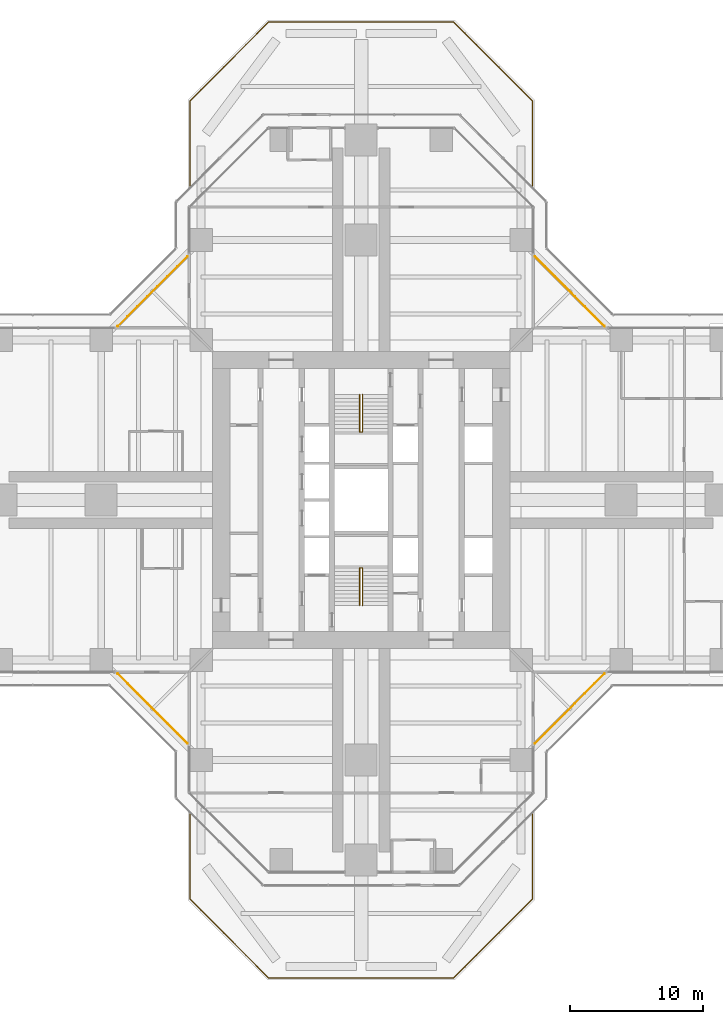
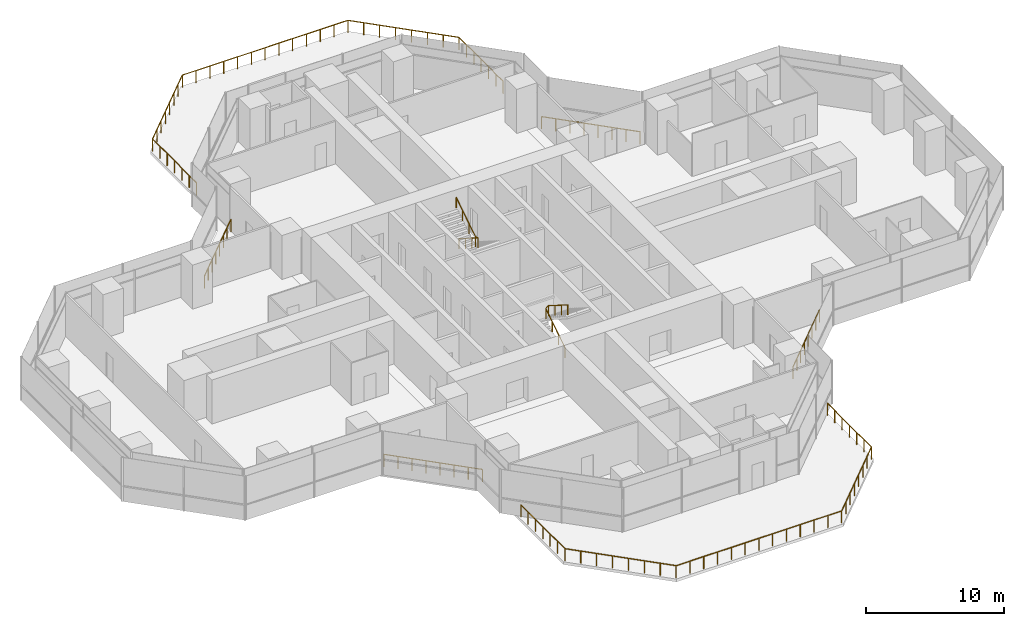
# One storey, part 21 of 21: 8 railings.
"""IFC4 building model written with IfcOpenShell, lengths in metres."""

from ifc_helpers import new_model, si_unit, direction, frame, origin, origin_2d, place, context, subcontext, project, spatial, circle, extrude, material, type_object, element, save


model = new_model("IFC4")

# Units and contexts
model_context = context("Model", 3, precision=1e-05, world=origin(), true_north=direction((0.0, 1.0)))
body_context = subcontext(model_context, "Body", "Model", "MODEL_VIEW")
ifc_project = project(units=[si_unit("LENGTHUNIT", "METRE"), si_unit("AREAUNIT", "SQUARE_METRE"), si_unit("VOLUMEUNIT", "CUBIC_METRE"), si_unit("PLANEANGLEUNIT", "RADIAN"), si_unit("MASSUNIT", "GRAM", prefix="KILO")], contexts=[model_context])

# Site, building, storey
site_placement = place(None, origin())
site = spatial("IfcSite", under=ifc_project, at=site_placement, CompositionType="ELEMENT")
building_placement = place(site_placement, origin())
building = spatial("IfcBuilding", under=site, at=building_placement, Name="Mizan Broadcast Tower", CompositionType="ELEMENT")
storey_placement = place(building_placement, frame((0.0, 0.0, 124.199951171875)))
storey = spatial("IfcBuildingStorey", under=building, at=storey_placement, Name="L27", CompositionType="ELEMENT", Elevation=124.199951171875)

# Railings
ifc_material_1 = material(Name="Stainless steel and glass guard", Category="steel")
railing_type_1 = type_object("IfcRailingType", Name="GUARD 1100", PredefinedType="GUARDRAIL", material=ifc_material_1)
railing_1_placement = place(storey_placement, frame((18.2578125, 13.030029296875, 0.0)))
element("IfcRailing", 1, at=railing_1_placement, inside=storey, type_object=railing_type_1, Name="Winter garden guard L27 E", PredefinedType="GUARDRAIL", context=body_context, shape_type="SweptSolid", body=[
    extrude(circle(Radius=0.02392578125, at=origin_2d()), frame((0.0, 0.0, 1.076171875), z_axis=(-0.707106781187, 0.707106781187, 0.0), x_axis=(-0.707106781187, -0.707106781187, 0.0)), (0.0, 0.0, 1.0), 7.393310546875),
    extrude(circle(Radius=0.02099609375, at=origin_2d()), origin(), (0.0, 0.0, 1.0), 1.052001953125),
    extrude(circle(Radius=0.02099609375, at=origin_2d()), frame((-0.746826171875, 0.746826171875, 0.0)), (0.0, 0.0, 1.0), 1.052001953125),
    extrude(circle(Radius=0.02099609375, at=origin_2d()), frame((-1.49365234375, 1.49365234375, 0.0)), (0.0, 0.0, 1.0), 1.052001953125),
    extrude(circle(Radius=0.02099609375, at=origin_2d()), frame((-2.240478515625, 2.240478515625, 0.0)), (0.0, 0.0, 1.0), 1.052001953125),
    extrude(circle(Radius=0.02099609375, at=origin_2d()), frame((-2.9873046875, 2.9873046875, 0.0)), (0.0, 0.0, 1.0), 1.052001953125),
    extrude(circle(Radius=0.02099609375, at=origin_2d()), frame((-3.734130859375, 3.734130859375, 0.0)), (0.0, 0.0, 1.0), 1.052001953125),
    extrude(circle(Radius=0.02099609375, at=origin_2d()), frame((-4.48095703125, 4.48095703125, 0.0)), (0.0, 0.0, 1.0), 1.052001953125),
    extrude(circle(Radius=0.02099609375, at=origin_2d()), frame((-5.227783203125, 5.227783203125, 0.0)), (0.0, 0.0, 1.0), 1.052001953125),
])
railing_2_placement = place(storey_placement, frame((-13.030029296875, 18.2578125, 0.0)))
element("IfcRailing", 2, at=railing_2_placement, inside=storey, type_object=railing_type_1, Name="Winter garden guard L27 N", PredefinedType="GUARDRAIL", context=body_context, shape_type="SweptSolid", body=[
    extrude(circle(Radius=0.02392578125, at=origin_2d()), frame((0.0, 0.0, 1.076171875), z_axis=(-0.707106781187, -0.707106781187, 0.0), x_axis=(0.707106781187, -0.707106781187, 0.0)), (0.0, 0.0, 1.0), 7.393310546875),
    extrude(circle(Radius=0.02099609375, at=origin_2d()), origin(), (0.0, 0.0, 1.0), 1.052001953125),
    extrude(circle(Radius=0.02099609375, at=origin_2d()), frame((-0.746826171875, -0.746826171875, 0.0)), (0.0, 0.0, 1.0), 1.052001953125),
    extrude(circle(Radius=0.02099609375, at=origin_2d()), frame((-1.49365234375, -1.49365234375, 0.0)), (0.0, 0.0, 1.0), 1.052001953125),
    extrude(circle(Radius=0.02099609375, at=origin_2d()), frame((-2.240478515625, -2.240478515625, 0.0)), (0.0, 0.0, 1.0), 1.052001953125),
    extrude(circle(Radius=0.02099609375, at=origin_2d()), frame((-2.9873046875, -2.9873046875, 0.0)), (0.0, 0.0, 1.0), 1.052001953125),
    extrude(circle(Radius=0.02099609375, at=origin_2d()), frame((-3.734130859375, -3.734130859375, 0.0)), (0.0, 0.0, 1.0), 1.052001953125),
    extrude(circle(Radius=0.02099609375, at=origin_2d()), frame((-4.48095703125, -4.48095703125, 0.0)), (0.0, 0.0, 1.0), 1.052001953125),
    extrude(circle(Radius=0.02099609375, at=origin_2d()), frame((-5.227783203125, -5.227783203125, 0.0)), (0.0, 0.0, 1.0), 1.052001953125),
])
railing_3_placement = place(storey_placement, frame((-18.2578125, -13.030029296875, 0.0)))
element("IfcRailing", 3, at=railing_3_placement, inside=storey, type_object=railing_type_1, Name="Winter garden guard L27 W", PredefinedType="GUARDRAIL", context=body_context, shape_type="SweptSolid", body=[
    extrude(circle(Radius=0.02392578125, at=origin_2d()), frame((0.0, 0.0, 1.076171875), z_axis=(0.707106781187, -0.707106781187, 0.0), x_axis=(0.707106781187, 0.707106781187, 0.0)), (0.0, 0.0, 1.0), 7.393310546875),
    extrude(circle(Radius=0.02099609375, at=origin_2d()), origin(), (0.0, 0.0, 1.0), 1.052001953125),
    extrude(circle(Radius=0.02099609375, at=origin_2d()), frame((0.746826171875, -0.746826171875, 0.0)), (0.0, 0.0, 1.0), 1.052001953125),
    extrude(circle(Radius=0.02099609375, at=origin_2d()), frame((1.49365234375, -1.49365234375, 0.0)), (0.0, 0.0, 1.0), 1.052001953125),
    extrude(circle(Radius=0.02099609375, at=origin_2d()), frame((2.240478515625, -2.240478515625, 0.0)), (0.0, 0.0, 1.0), 1.052001953125),
    extrude(circle(Radius=0.02099609375, at=origin_2d()), frame((2.9873046875, -2.9873046875, 0.0)), (0.0, 0.0, 1.0), 1.052001953125),
    extrude(circle(Radius=0.02099609375, at=origin_2d()), frame((3.734130859375, -3.734130859375, 0.0)), (0.0, 0.0, 1.0), 1.052001953125),
    extrude(circle(Radius=0.02099609375, at=origin_2d()), frame((4.48095703125, -4.48095703125, 0.0)), (0.0, 0.0, 1.0), 1.052001953125),
    extrude(circle(Radius=0.02099609375, at=origin_2d()), frame((5.227783203125, -5.227783203125, 0.0)), (0.0, 0.0, 1.0), 1.052001953125),
])
railing_4_placement = place(storey_placement, frame((13.030029296875, -18.2578125, 0.0)))
element("IfcRailing", 4, at=railing_4_placement, inside=storey, type_object=railing_type_1, Name="Winter garden guard L27 S", PredefinedType="GUARDRAIL", context=body_context, shape_type="SweptSolid", body=[
    extrude(circle(Radius=0.02392578125, at=origin_2d()), frame((0.0, 0.0, 1.076171875), z_axis=(0.707106781187, 0.707106781187, 0.0), x_axis=(-0.707106781187, 0.707106781187, 0.0)), (0.0, 0.0, 1.0), 7.393310546875),
    extrude(circle(Radius=0.02099609375, at=origin_2d()), origin(), (0.0, 0.0, 1.0), 1.052001953125),
    extrude(circle(Radius=0.02099609375, at=origin_2d()), frame((0.746826171875, 0.746826171875, 0.0)), (0.0, 0.0, 1.0), 1.052001953125),
    extrude(circle(Radius=0.02099609375, at=origin_2d()), frame((1.49365234375, 1.49365234375, 0.0)), (0.0, 0.0, 1.0), 1.052001953125),
    extrude(circle(Radius=0.02099609375, at=origin_2d()), frame((2.240478515625, 2.240478515625, 0.0)), (0.0, 0.0, 1.0), 1.052001953125),
    extrude(circle(Radius=0.02099609375, at=origin_2d()), frame((2.9873046875, 2.9873046875, 0.0)), (0.0, 0.0, 1.0), 1.052001953125),
    extrude(circle(Radius=0.02099609375, at=origin_2d()), frame((3.734130859375, 3.734130859375, 0.0)), (0.0, 0.0, 1.0), 1.052001953125),
    extrude(circle(Radius=0.02099609375, at=origin_2d()), frame((4.48095703125, 4.48095703125, 0.0)), (0.0, 0.0, 1.0), 1.052001953125),
    extrude(circle(Radius=0.02099609375, at=origin_2d()), frame((5.227783203125, 5.227783203125, 0.0)), (0.0, 0.0, 1.0), 1.052001953125),
])
railing_5_placement = place(storey_placement, frame((-12.85009765625, 23.535888671875, 0.0)))
element("IfcRailing", 5, at=railing_5_placement, inside=storey, type_object=railing_type_1, Name="Maintenance roof guard L27 1", PredefinedType="GUARDRAIL", context=body_context, shape_type="SweptSolid", body=[
    extrude(circle(Radius=0.02392578125, at=origin_2d()), frame((0.0, 0.0, 1.076171875), z_axis=(0.0, 1.0, 0.0), x_axis=(-1.0, 0.0, 0.0)), (0.0, 0.0, 1.0), 6.402099609375),
    extrude(circle(Radius=0.02392578125, at=origin_2d()), frame((0.0, 6.402099609375, 1.076171875), z_axis=(0.707106781187, 0.707106781187, 0.0), x_axis=(-0.707106781187, 0.707106781187, 0.0)), (0.0, 0.0, 1.0), 8.361083984375),
    extrude(circle(Radius=0.02392578125, at=origin_2d()), frame((5.912109375, 12.314208984375, 1.076171875), z_axis=(1.0, 0.0, 0.0), x_axis=(0.0, 1.0, 0.0)), (0.0, 0.0, 1.0), 13.8759765625),
    extrude(circle(Radius=0.02392578125, at=origin_2d()), frame((19.7880859375, 12.314208984375, 1.076171875), z_axis=(0.707106781187, -0.707106781187, 0.0), x_axis=(0.707106781187, 0.707106781187, 0.0)), (0.0, 0.0, 1.0), 8.361083984375),
    extrude(circle(Radius=0.02392578125, at=origin_2d()), frame((25.7001953125, 6.402099609375, 1.076171875), z_axis=(0.0, -1.0, 0.0), x_axis=(1.0, 0.0, 0.0)), (0.0, 0.0, 1.0), 6.402099609375),
    extrude(circle(Radius=0.02099609375, at=origin_2d()), origin(), (0.0, 0.0, 1.0), 1.052001953125),
    extrude(circle(Radius=0.02099609375, at=origin_2d()), frame((0.0, 1.06689453125, 0.0)), (0.0, 0.0, 1.0), 1.052001953125),
    extrude(circle(Radius=0.02099609375, at=origin_2d()), frame((0.0, 2.134033203125, 0.0)), (0.0, 0.0, 1.0), 1.052001953125),
    extrude(circle(Radius=0.02099609375, at=origin_2d()), frame((0.0, 3.201171875, 0.0)), (0.0, 0.0, 1.0), 1.052001953125),
    extrude(circle(Radius=0.02099609375, at=origin_2d()), frame((0.0, 4.26806640625, 0.0)), (0.0, 0.0, 1.0), 1.052001953125),
    extrude(circle(Radius=0.02099609375, at=origin_2d()), frame((0.0, 5.3349609375, 0.0)), (0.0, 0.0, 1.0), 1.052001953125),
    extrude(circle(Radius=0.02099609375, at=origin_2d()), frame((0.0, 6.402099609375, 0.0)), (0.0, 0.0, 1.0), 1.052001953125),
    extrude(circle(Radius=0.02099609375, at=origin_2d()), frame((0.844482421875, 7.24658203125, 0.0)), (0.0, 0.0, 1.0), 1.052001953125),
    extrude(circle(Radius=0.02099609375, at=origin_2d()), frame((1.689208984375, 8.09130859375, 0.0)), (0.0, 0.0, 1.0), 1.052001953125),
    extrude(circle(Radius=0.02099609375, at=origin_2d()), frame((2.53369140625, 8.935791015625, 0.0)), (0.0, 0.0, 1.0), 1.052001953125),
    extrude(circle(Radius=0.02099609375, at=origin_2d()), frame((3.37841796875, 9.780517578125, 0.0)), (0.0, 0.0, 1.0), 1.052001953125),
    extrude(circle(Radius=0.02099609375, at=origin_2d()), frame((4.222900390625, 10.625, 0.0)), (0.0, 0.0, 1.0), 1.052001953125),
    extrude(circle(Radius=0.02099609375, at=origin_2d()), frame((5.067626953125, 11.4697265625, 0.0)), (0.0, 0.0, 1.0), 1.052001953125),
    extrude(circle(Radius=0.02099609375, at=origin_2d()), frame((5.912109375, 12.314208984375, 0.0)), (0.0, 0.0, 1.0), 1.052001953125),
    extrude(circle(Radius=0.02099609375, at=origin_2d()), frame((7.068359375, 12.314208984375, 0.0)), (0.0, 0.0, 1.0), 1.052001953125),
    extrude(circle(Radius=0.02099609375, at=origin_2d()), frame((8.224853515625, 12.314208984375, 0.0)), (0.0, 0.0, 1.0), 1.052001953125),
    extrude(circle(Radius=0.02099609375, at=origin_2d()), frame((9.381103515625, 12.314208984375, 0.0)), (0.0, 0.0, 1.0), 1.052001953125),
    extrude(circle(Radius=0.02099609375, at=origin_2d()), frame((10.537353515625, 12.314208984375, 0.0)), (0.0, 0.0, 1.0), 1.052001953125),
    extrude(circle(Radius=0.02099609375, at=origin_2d()), frame((11.69384765625, 12.314208984375, 0.0)), (0.0, 0.0, 1.0), 1.052001953125),
    extrude(circle(Radius=0.02099609375, at=origin_2d()), frame((12.85009765625, 12.314208984375, 0.0)), (0.0, 0.0, 1.0), 1.052001953125),
    extrude(circle(Radius=0.02099609375, at=origin_2d()), frame((14.00634765625, 12.314208984375, 0.0)), (0.0, 0.0, 1.0), 1.052001953125),
    extrude(circle(Radius=0.02099609375, at=origin_2d()), frame((15.162841796875, 12.314208984375, 0.0)), (0.0, 0.0, 1.0), 1.052001953125),
    extrude(circle(Radius=0.02099609375, at=origin_2d()), frame((16.319091796875, 12.314208984375, 0.0)), (0.0, 0.0, 1.0), 1.052001953125),
    extrude(circle(Radius=0.02099609375, at=origin_2d()), frame((17.475341796875, 12.314208984375, 0.0)), (0.0, 0.0, 1.0), 1.052001953125),
    extrude(circle(Radius=0.02099609375, at=origin_2d()), frame((18.6318359375, 12.314208984375, 0.0)), (0.0, 0.0, 1.0), 1.052001953125),
    extrude(circle(Radius=0.02099609375, at=origin_2d()), frame((19.7880859375, 12.314208984375, 0.0)), (0.0, 0.0, 1.0), 1.052001953125),
    extrude(circle(Radius=0.02099609375, at=origin_2d()), frame((20.632568359375, 11.4697265625, 0.0)), (0.0, 0.0, 1.0), 1.052001953125),
    extrude(circle(Radius=0.02099609375, at=origin_2d()), frame((21.477294921875, 10.625, 0.0)), (0.0, 0.0, 1.0), 1.052001953125),
    extrude(circle(Radius=0.02099609375, at=origin_2d()), frame((22.32177734375, 9.780517578125, 0.0)), (0.0, 0.0, 1.0), 1.052001953125),
    extrude(circle(Radius=0.02099609375, at=origin_2d()), frame((23.16650390625, 8.935791015625, 0.0)), (0.0, 0.0, 1.0), 1.052001953125),
    extrude(circle(Radius=0.02099609375, at=origin_2d()), frame((24.010986328125, 8.09130859375, 0.0)), (0.0, 0.0, 1.0), 1.052001953125),
    extrude(circle(Radius=0.02099609375, at=origin_2d()), frame((24.855712890625, 7.24658203125, 0.0)), (0.0, 0.0, 1.0), 1.052001953125),
    extrude(circle(Radius=0.02099609375, at=origin_2d()), frame((25.7001953125, 6.402099609375, 0.0)), (0.0, 0.0, 1.0), 1.052001953125),
    extrude(circle(Radius=0.02099609375, at=origin_2d()), frame((25.7001953125, 5.3349609375, 0.0)), (0.0, 0.0, 1.0), 1.052001953125),
    extrude(circle(Radius=0.02099609375, at=origin_2d()), frame((25.7001953125, 4.26806640625, 0.0)), (0.0, 0.0, 1.0), 1.052001953125),
    extrude(circle(Radius=0.02099609375, at=origin_2d()), frame((25.7001953125, 3.201171875, 0.0)), (0.0, 0.0, 1.0), 1.052001953125),
    extrude(circle(Radius=0.02099609375, at=origin_2d()), frame((25.7001953125, 2.134033203125, 0.0)), (0.0, 0.0, 1.0), 1.052001953125),
    extrude(circle(Radius=0.02099609375, at=origin_2d()), frame((25.7001953125, 1.06689453125, 0.0)), (0.0, 0.0, 1.0), 1.052001953125),
    extrude(circle(Radius=0.02099609375, at=origin_2d()), frame((25.7001953125, 0.0, 0.0)), (0.0, 0.0, 1.0), 1.052001953125),
])
railing_6_placement = place(storey_placement, frame((12.85009765625, -23.535888671875, 0.0)))
element("IfcRailing", 6, at=railing_6_placement, inside=storey, type_object=railing_type_1, Name="Maintenance roof guard L27 2", PredefinedType="GUARDRAIL", context=body_context, shape_type="SweptSolid", body=[
    extrude(circle(Radius=0.02392578125, at=origin_2d()), frame((0.0, 0.0, 1.076171875), z_axis=(0.0, -1.0, 0.0), x_axis=(1.0, 0.0, 0.0)), (0.0, 0.0, 1.0), 6.402099609375),
    extrude(circle(Radius=0.02392578125, at=origin_2d()), frame((0.0, -6.402099609375, 1.076171875), z_axis=(-0.707106781187, -0.707106781187, 0.0), x_axis=(0.707106781187, -0.707106781187, 0.0)), (0.0, 0.0, 1.0), 8.361083984375),
    extrude(circle(Radius=0.02392578125, at=origin_2d()), frame((-5.912109375, -12.314208984375, 1.076171875), z_axis=(-1.0, 0.0, 0.0), x_axis=(0.0, -1.0, 0.0)), (0.0, 0.0, 1.0), 13.8759765625),
    extrude(circle(Radius=0.02392578125, at=origin_2d()), frame((-19.7880859375, -12.314208984375, 1.076171875), z_axis=(-0.707106781187, 0.707106781187, 0.0), x_axis=(-0.707106781187, -0.707106781187, 0.0)), (0.0, 0.0, 1.0), 8.361083984375),
    extrude(circle(Radius=0.02392578125, at=origin_2d()), frame((-25.7001953125, -6.402099609375, 1.076171875), z_axis=(0.0, 1.0, 0.0), x_axis=(-1.0, 0.0, 0.0)), (0.0, 0.0, 1.0), 6.402099609375),
    extrude(circle(Radius=0.02099609375, at=origin_2d()), origin(), (0.0, 0.0, 1.0), 1.052001953125),
    extrude(circle(Radius=0.02099609375, at=origin_2d()), frame((0.0, -1.06689453125, 0.0)), (0.0, 0.0, 1.0), 1.052001953125),
    extrude(circle(Radius=0.02099609375, at=origin_2d()), frame((0.0, -2.134033203125, 0.0)), (0.0, 0.0, 1.0), 1.052001953125),
    extrude(circle(Radius=0.02099609375, at=origin_2d()), frame((0.0, -3.201171875, 0.0)), (0.0, 0.0, 1.0), 1.052001953125),
    extrude(circle(Radius=0.02099609375, at=origin_2d()), frame((0.0, -4.26806640625, 0.0)), (0.0, 0.0, 1.0), 1.052001953125),
    extrude(circle(Radius=0.02099609375, at=origin_2d()), frame((0.0, -5.3349609375, 0.0)), (0.0, 0.0, 1.0), 1.052001953125),
    extrude(circle(Radius=0.02099609375, at=origin_2d()), frame((0.0, -6.402099609375, 0.0)), (0.0, 0.0, 1.0), 1.052001953125),
    extrude(circle(Radius=0.02099609375, at=origin_2d()), frame((-0.844482421875, -7.24658203125, 0.0)), (0.0, 0.0, 1.0), 1.052001953125),
    extrude(circle(Radius=0.02099609375, at=origin_2d()), frame((-1.689208984375, -8.09130859375, 0.0)), (0.0, 0.0, 1.0), 1.052001953125),
    extrude(circle(Radius=0.02099609375, at=origin_2d()), frame((-2.53369140625, -8.935791015625, 0.0)), (0.0, 0.0, 1.0), 1.052001953125),
    extrude(circle(Radius=0.02099609375, at=origin_2d()), frame((-3.37841796875, -9.780517578125, 0.0)), (0.0, 0.0, 1.0), 1.052001953125),
    extrude(circle(Radius=0.02099609375, at=origin_2d()), frame((-4.222900390625, -10.625, 0.0)), (0.0, 0.0, 1.0), 1.052001953125),
    extrude(circle(Radius=0.02099609375, at=origin_2d()), frame((-5.067626953125, -11.4697265625, 0.0)), (0.0, 0.0, 1.0), 1.052001953125),
    extrude(circle(Radius=0.02099609375, at=origin_2d()), frame((-5.912109375, -12.314208984375, 0.0)), (0.0, 0.0, 1.0), 1.052001953125),
    extrude(circle(Radius=0.02099609375, at=origin_2d()), frame((-7.068359375, -12.314208984375, 0.0)), (0.0, 0.0, 1.0), 1.052001953125),
    extrude(circle(Radius=0.02099609375, at=origin_2d()), frame((-8.224853515625, -12.314208984375, 0.0)), (0.0, 0.0, 1.0), 1.052001953125),
    extrude(circle(Radius=0.02099609375, at=origin_2d()), frame((-9.381103515625, -12.314208984375, 0.0)), (0.0, 0.0, 1.0), 1.052001953125),
    extrude(circle(Radius=0.02099609375, at=origin_2d()), frame((-10.537353515625, -12.314208984375, 0.0)), (0.0, 0.0, 1.0), 1.052001953125),
    extrude(circle(Radius=0.02099609375, at=origin_2d()), frame((-11.69384765625, -12.314208984375, 0.0)), (0.0, 0.0, 1.0), 1.052001953125),
    extrude(circle(Radius=0.02099609375, at=origin_2d()), frame((-12.85009765625, -12.314208984375, 0.0)), (0.0, 0.0, 1.0), 1.052001953125),
    extrude(circle(Radius=0.02099609375, at=origin_2d()), frame((-14.00634765625, -12.314208984375, 0.0)), (0.0, 0.0, 1.0), 1.052001953125),
    extrude(circle(Radius=0.02099609375, at=origin_2d()), frame((-15.162841796875, -12.314208984375, 0.0)), (0.0, 0.0, 1.0), 1.052001953125),
    extrude(circle(Radius=0.02099609375, at=origin_2d()), frame((-16.319091796875, -12.314208984375, 0.0)), (0.0, 0.0, 1.0), 1.052001953125),
    extrude(circle(Radius=0.02099609375, at=origin_2d()), frame((-17.475341796875, -12.314208984375, 0.0)), (0.0, 0.0, 1.0), 1.052001953125),
    extrude(circle(Radius=0.02099609375, at=origin_2d()), frame((-18.6318359375, -12.314208984375, 0.0)), (0.0, 0.0, 1.0), 1.052001953125),
    extrude(circle(Radius=0.02099609375, at=origin_2d()), frame((-19.7880859375, -12.314208984375, 0.0)), (0.0, 0.0, 1.0), 1.052001953125),
    extrude(circle(Radius=0.02099609375, at=origin_2d()), frame((-20.632568359375, -11.4697265625, 0.0)), (0.0, 0.0, 1.0), 1.052001953125),
    extrude(circle(Radius=0.02099609375, at=origin_2d()), frame((-21.477294921875, -10.625, 0.0)), (0.0, 0.0, 1.0), 1.052001953125),
    extrude(circle(Radius=0.02099609375, at=origin_2d()), frame((-22.32177734375, -9.780517578125, 0.0)), (0.0, 0.0, 1.0), 1.052001953125),
    extrude(circle(Radius=0.02099609375, at=origin_2d()), frame((-23.16650390625, -8.935791015625, 0.0)), (0.0, 0.0, 1.0), 1.052001953125),
    extrude(circle(Radius=0.02099609375, at=origin_2d()), frame((-24.010986328125, -8.09130859375, 0.0)), (0.0, 0.0, 1.0), 1.052001953125),
    extrude(circle(Radius=0.02099609375, at=origin_2d()), frame((-24.855712890625, -7.24658203125, 0.0)), (0.0, 0.0, 1.0), 1.052001953125),
    extrude(circle(Radius=0.02099609375, at=origin_2d()), frame((-25.7001953125, -6.402099609375, 0.0)), (0.0, 0.0, 1.0), 1.052001953125),
    extrude(circle(Radius=0.02099609375, at=origin_2d()), frame((-25.7001953125, -5.3349609375, 0.0)), (0.0, 0.0, 1.0), 1.052001953125),
    extrude(circle(Radius=0.02099609375, at=origin_2d()), frame((-25.7001953125, -4.26806640625, 0.0)), (0.0, 0.0, 1.0), 1.052001953125),
    extrude(circle(Radius=0.02099609375, at=origin_2d()), frame((-25.7001953125, -3.201171875, 0.0)), (0.0, 0.0, 1.0), 1.052001953125),
    extrude(circle(Radius=0.02099609375, at=origin_2d()), frame((-25.7001953125, -2.134033203125, 0.0)), (0.0, 0.0, 1.0), 1.052001953125),
    extrude(circle(Radius=0.02099609375, at=origin_2d()), frame((-25.7001953125, -1.06689453125, 0.0)), (0.0, 0.0, 1.0), 1.052001953125),
    extrude(circle(Radius=0.02099609375, at=origin_2d()), frame((-25.7001953125, 0.0, 0.0)), (0.0, 0.0, 1.0), 1.052001953125),
])
ifc_material_2 = material(Name="Stainless steel", Category="steel")
railing_type_2 = type_object("IfcRailingType", Name="HANDRAIL 50", PredefinedType="HANDRAIL", material=ifc_material_2)
railing_7_placement = place(storey_placement, frame((-0.110107421875, -7.89990234375, 0.17724609375)))
element("IfcRailing", 7, at=railing_7_placement, inside=storey, type_object=railing_type_2, Name="Stair A handrail", PredefinedType="HANDRAIL", context=body_context, shape_type="SweptSolid", body=[
    extrude(circle(Radius=0.02392578125, at=origin_2d()), frame((0.0, 0.0, 0.8759765625), z_axis=(0.0, 0.844887892834, 0.53494340686), x_axis=(-1.0, 0.0, 0.0)), (0.0, 0.0, 1.0), 3.313720703125),
    extrude(circle(Radius=0.02392578125, at=origin_2d()), frame((0.0, 2.7998046875, 2.6484375), z_axis=(0.77858989007, 0.0, 0.627533093216), x_axis=(0.0, 1.0, 0.0)), (0.0, 0.0, 1.0), 0.282958984375),
    extrude(circle(Radius=0.02392578125, at=origin_2d()), frame((0.22021484375, 2.7998046875, 2.826171875), z_axis=(0.0, -0.844887892834, 0.53494340686), x_axis=(1.0, 0.0, 0.0)), (0.0, 0.0, 1.0), 3.313720703125),
    extrude(circle(Radius=0.02099609375, at=origin_2d()), origin(), (0.0, 0.0, 1.0), 0.851806640625),
    extrude(circle(Radius=0.02099609375, at=origin_2d()), frame((0.0, 0.933349609375, 0.5908203125)), (0.0, 0.0, 1.0), 0.851806640625),
    extrude(circle(Radius=0.02099609375, at=origin_2d()), frame((0.0, 1.866455078125, 1.181884765625)), (0.0, 0.0, 1.0), 0.851806640625),
    extrude(circle(Radius=0.02099609375, at=origin_2d()), frame((0.0, 2.7998046875, 1.772705078125)), (0.0, 0.0, 1.0), 0.851806640625),
    extrude(circle(Radius=0.02099609375, at=origin_2d()), frame((0.22021484375, 2.7998046875, 1.9501953125)), (0.0, 0.0, 1.0), 0.851806640625),
    extrude(circle(Radius=0.02099609375, at=origin_2d()), frame((0.22021484375, 1.866455078125, 2.541015625)), (0.0, 0.0, 1.0), 0.851806640625),
    extrude(circle(Radius=0.02099609375, at=origin_2d()), frame((0.22021484375, 0.933349609375, 3.132080078125)), (0.0, 0.0, 1.0), 0.851806640625),
    extrude(circle(Radius=0.02099609375, at=origin_2d()), frame((0.22021484375, 0.0, 3.722900390625)), (0.0, 0.0, 1.0), 0.851806640625),
])
railing_8_placement = place(storey_placement, frame((0.110107421875, 7.89990234375, 0.17724609375)))
element("IfcRailing", 8, at=railing_8_placement, inside=storey, type_object=railing_type_2, Name="Stair B handrail", PredefinedType="HANDRAIL", context=body_context, shape_type="SweptSolid", body=[
    extrude(circle(Radius=0.02392578125, at=origin_2d()), frame((0.0, 0.0, 0.8759765625), z_axis=(0.0, -0.844887892834, 0.53494340686), x_axis=(1.0, 0.0, 0.0)), (0.0, 0.0, 1.0), 3.313720703125),
    extrude(circle(Radius=0.02392578125, at=origin_2d()), frame((0.0, -2.7998046875, 2.6484375), z_axis=(-0.77858989007, 0.0, 0.627533093216), x_axis=(0.0, -1.0, 0.0)), (0.0, 0.0, 1.0), 0.282958984375),
    extrude(circle(Radius=0.02392578125, at=origin_2d()), frame((-0.22021484375, -2.7998046875, 2.826171875), z_axis=(0.0, 0.844887892834, 0.53494340686), x_axis=(-1.0, 0.0, 0.0)), (0.0, 0.0, 1.0), 3.313720703125),
    extrude(circle(Radius=0.02099609375, at=origin_2d()), origin(), (0.0, 0.0, 1.0), 0.851806640625),
    extrude(circle(Radius=0.02099609375, at=origin_2d()), frame((0.0, -0.933349609375, 0.5908203125)), (0.0, 0.0, 1.0), 0.851806640625),
    extrude(circle(Radius=0.02099609375, at=origin_2d()), frame((0.0, -1.866455078125, 1.181884765625)), (0.0, 0.0, 1.0), 0.851806640625),
    extrude(circle(Radius=0.02099609375, at=origin_2d()), frame((0.0, -2.7998046875, 1.772705078125)), (0.0, 0.0, 1.0), 0.851806640625),
    extrude(circle(Radius=0.02099609375, at=origin_2d()), frame((-0.22021484375, -2.7998046875, 1.9501953125)), (0.0, 0.0, 1.0), 0.851806640625),
    extrude(circle(Radius=0.02099609375, at=origin_2d()), frame((-0.22021484375, -1.866455078125, 2.541015625)), (0.0, 0.0, 1.0), 0.851806640625),
    extrude(circle(Radius=0.02099609375, at=origin_2d()), frame((-0.22021484375, -0.933349609375, 3.132080078125)), (0.0, 0.0, 1.0), 0.851806640625),
    extrude(circle(Radius=0.02099609375, at=origin_2d()), frame((-0.22021484375, 0.0, 3.722900390625)), (0.0, 0.0, 1.0), 0.851806640625),
])

save(model, "model.ifc")
